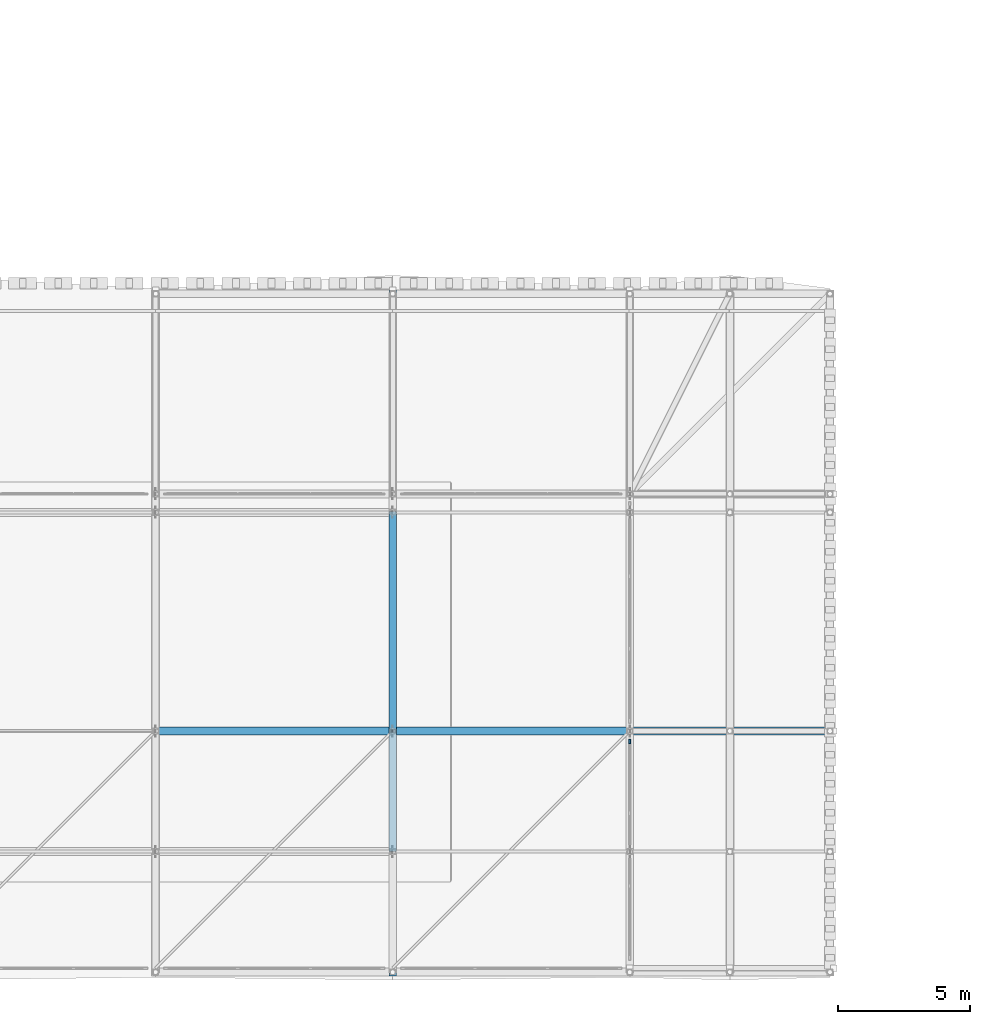
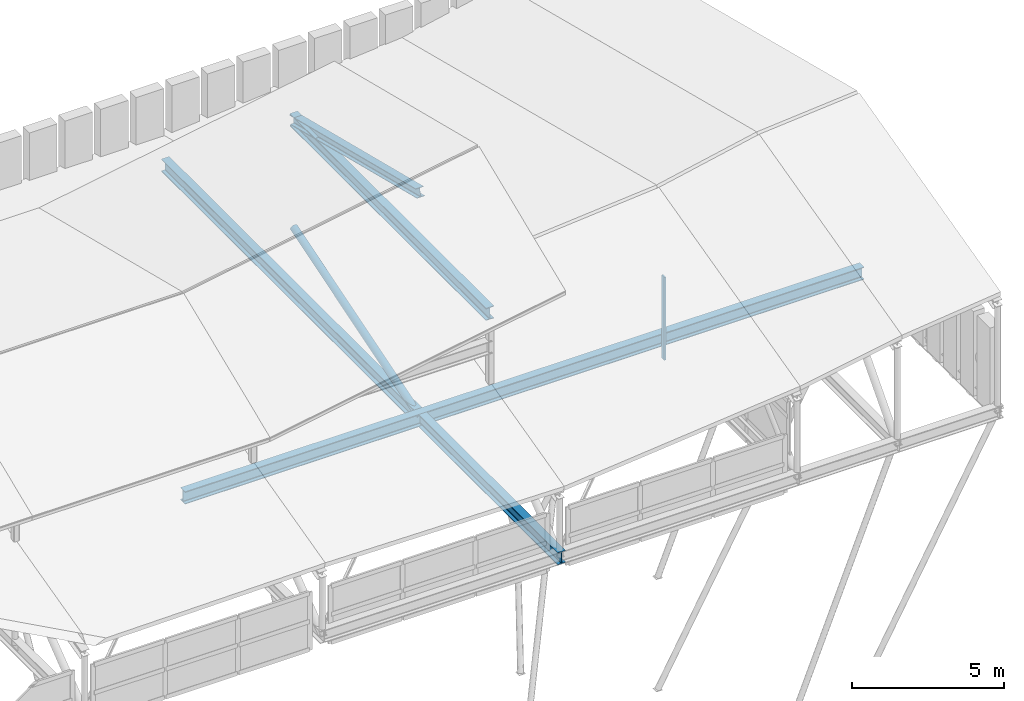
# One storey, part 14 of 42: 3 beams, 3 members, 1 element without a shape of its own.
"""IFC4 building model written with IfcOpenShell, lengths in metres."""

from ifc_helpers import new_model, si_unit, direction, frame, origin, origin_2d, place, context, subcontext, project, spatial, rectangle, hollow_circle, i_section, extrude, material, material_profile, profile_set, type_object, element, aggregate, save


model = new_model("IFC4")

# Units and contexts
model_context = context("Model", 3, precision=1e-05, world=origin(), true_north=direction((0.0, 1.0)))
body_context = subcontext(model_context, "Body", "Model", "MODEL_VIEW")
ifc_project = project(units=[si_unit("LENGTHUNIT", "METRE"), si_unit("AREAUNIT", "SQUARE_METRE"), si_unit("VOLUMEUNIT", "CUBIC_METRE"), si_unit("PLANEANGLEUNIT", "RADIAN"), si_unit("MASSUNIT", "GRAM", prefix="KILO")], contexts=[model_context])

# Site, building, storey
site_placement = place(None, origin())
site = spatial("IfcSite", under=ifc_project, at=site_placement, CompositionType="ELEMENT")
building_placement = place(site_placement, origin())
building = spatial("IfcBuilding", under=site, at=building_placement, Name="Bozkorgan Art Gallery", CompositionType="ELEMENT")
storey_placement = place(building_placement, frame((0.0, 0.0, 28.800048828125)))
storey = spatial("IfcBuildingStorey", under=building, at=storey_placement, Name="RF", CompositionType="ELEMENT", Elevation=28.800048828125)

# Beams
ifc_material_1 = material(Name="Steel S355J2", Category="steel")
ifc_material_profile_1 = material_profile(ifc_material_1, i_section(OverallWidth=0.300048828125, OverallDepth=0.5, WebThickness=0.014404296875, FlangeThickness=0.028076171875, FilletRadius=0.027099609375, at=origin_2d()), Name="HEB 500")
ifc_profile_set_1 = profile_set([ifc_material_profile_1], Name="Steel S355J2")
beam_type_1 = type_object("IfcBeamType", Name="BEAM-TB-54", PredefinedType="BEAM", material=ifc_profile_set_1)
beam_1_placement = place(storey_placement, frame((56.0, 6.425048828125, 7.1904296875), z_axis=(0.0, 1.0, 0.0), x_axis=(-1.0, 0.0, 0.0)))
element("IfcBeam", 1, at=beam_1_placement, inside=storey, type_object=beam_type_1, Name="V1 stacked upper roof truss 6", PredefinedType="BEAM", context=body_context, shape_type="SweptSolid", body=[
    extrude(i_section(OverallWidth=0.300048828125, OverallDepth=0.5, WebThickness=0.014404296875, FlangeThickness=0.028076171875, FilletRadius=0.027099609375, at=origin_2d()), origin(), (0.0, 0.0, 1.0), 12.875),
])
ifc_material_profile_2 = material_profile(ifc_material_1, i_section(OverallWidth=0.300048828125, OverallDepth=0.5, WebThickness=0.014404296875, FlangeThickness=0.028076171875, FilletRadius=0.027099609375, at=origin_2d()), Name="HEB 500")
ifc_profile_set_2 = profile_set([ifc_material_profile_2], Name="Steel S355J2")
beam_type_2 = type_object("IfcBeamType", Name="BEAM-TO-52", PredefinedType="BEAM", material=ifc_profile_set_2)
beam_2_placement = place(storey_placement, frame((47.0, 11.0, 0.25), z_axis=(1.0, 0.0, 0.0), x_axis=(0.0, 1.0, 0.0)))
element("IfcBeam", 2, at=beam_2_placement, inside=storey, type_object=beam_type_2, Name="ROOF-V1-MAIN east overhang continuous truss chord 2", PredefinedType="BEAM", context=body_context, shape_type="SweptSolid", body=[
    extrude(i_section(OverallWidth=0.300048828125, OverallDepth=0.5, WebThickness=0.014404296875, FlangeThickness=0.028076171875, FilletRadius=0.027099609375, at=origin_2d()), origin(), (0.0, 0.0, 1.0), 25.739990234375),
])
beam_3_placement = place(storey_placement, frame((56.0, 1.7099609375, 0.25), z_axis=(0.0, 1.0, 0.0), x_axis=(-1.0, 0.0, 0.0)))
element("IfcBeam", 3, at=beam_3_placement, inside=storey, type_object=beam_type_2, Name="ROOF-V1-MAIN roof truss 7 bottom chord", PredefinedType="BEAM", context=body_context, shape_type="SweptSolid", body=[
    extrude(i_section(OverallWidth=0.300048828125, OverallDepth=0.5, WebThickness=0.014404296875, FlangeThickness=0.028076171875, FilletRadius=0.027099609375, at=origin_2d()), origin(), (0.0, 0.0, 1.0), 26.030029296875),
])

# Curtain wall, member
ifc_material_2 = material(Name="Anodised Bronze Aluminium", Category="aluminium")
curtain_wall_type = type_object("IfcCurtainWallType", Name="CW-CW-62", PredefinedType="NOTDEFINED", material=ifc_material_2)
curtain_wall_placement = place(storey_placement, origin())
curtain_wall = element("IfcCurtainWall", 4, at=curtain_wall_placement, inside=storey, type_object=curtain_wall_type, Name="RF unitised curtain wall CW-RF-V1-E-2", PredefinedType="NOTDEFINED")
ifc_material_profile_3 = material_profile(ifc_material_2, rectangle(XDim=0.06494140625, YDim=0.179931640625, at=origin_2d()), Name="ALU MULLION 65x180")
ifc_profile_set_3 = profile_set([ifc_material_profile_3], Name="Anodised Bronze Aluminium")
member_type_1 = type_object("IfcMemberType", Name="CWM-01", PredefinedType="MULLION", material=ifc_profile_set_3)
member_1_placement = place(storey_placement, frame((65.0, 10.607421875, -0.324951171875), z_axis=(0.0, 0.0, 1.0), x_axis=(-1.0, 0.0, 0.0)))
member_1 = element("IfcMember", 5, at=member_1_placement, type_object=member_type_1, Name="CW-62 mullion 4", PredefinedType="MULLION", context=body_context, shape_type="SweptSolid", body=[
    extrude(rectangle(XDim=0.06494140625, YDim=0.179931640625, at=origin_2d()), origin(), (0.0, 0.0, 1.0), 3.324951171875),
])
aggregate(curtain_wall, [member_1])

# Members
ifc_material_profile_4 = material_profile(ifc_material_1, i_section(OverallWidth=0.300048828125, OverallDepth=0.35009765625, WebThickness=0.010009765625, FlangeThickness=0.017578125, FilletRadius=0.027099609375, at=origin_2d()), Name="HEA 360")
ifc_profile_set_4 = profile_set([ifc_material_profile_4], Name="Steel S355J2")
member_type_2 = type_object("IfcMemberType", Name="MEMBER-TC-31", PredefinedType="CHORD", material=ifc_profile_set_4)
member_2_placement = place(storey_placement, frame((56.0, 11.0, 9.260009765625), z_axis=(0.0, 0.970291734009, -0.241937907145), x_axis=(-1.0, 0.0, 0.0)))
element("IfcMember", 6, at=member_2_placement, inside=storey, type_object=member_type_2, Name="V1 stacked upper north chord 6", PredefinedType="CHORD", context=body_context, shape_type="SweptSolid", body=[
    extrude(i_section(OverallWidth=0.300048828125, OverallDepth=0.35009765625, WebThickness=0.010009765625, FlangeThickness=0.017578125, FilletRadius=0.027099609375, at=origin_2d()), origin(), (0.0, 0.0, 1.0), 8.55419921875),
])
ifc_material_profile_5 = material_profile(ifc_material_1, hollow_circle(Radius=0.136474609375, WallThickness=0.012451171875, at=origin_2d()), Name="CHS 273x12.5")
ifc_profile_set_5 = profile_set([ifc_material_profile_5], Name="Steel S355J2")
member_type_3 = type_object("IfcMemberType", Name="MEMBER-TW-28", PredefinedType="BRACE", material=ifc_profile_set_5)
member_3_placement = place(storey_placement, frame((56.0, 11.0, 0.25), z_axis=(0.0, 0.955030676721, 0.29650700923), x_axis=(-1.0, 0.0, 0.0)))
element("IfcMember", 7, at=member_3_placement, inside=storey, type_object=member_type_3, Name="ROOF-V1-MAIN roof truss 7 diagonal 3", PredefinedType="BRACE", context=body_context, shape_type="SweptSolid", body=[
    extrude(hollow_circle(Radius=0.136474609375, WallThickness=0.012451171875, at=origin_2d()), origin(), (0.0, 0.0, 1.0), 8.69091796875),
])

save(model, "model.ifc")
